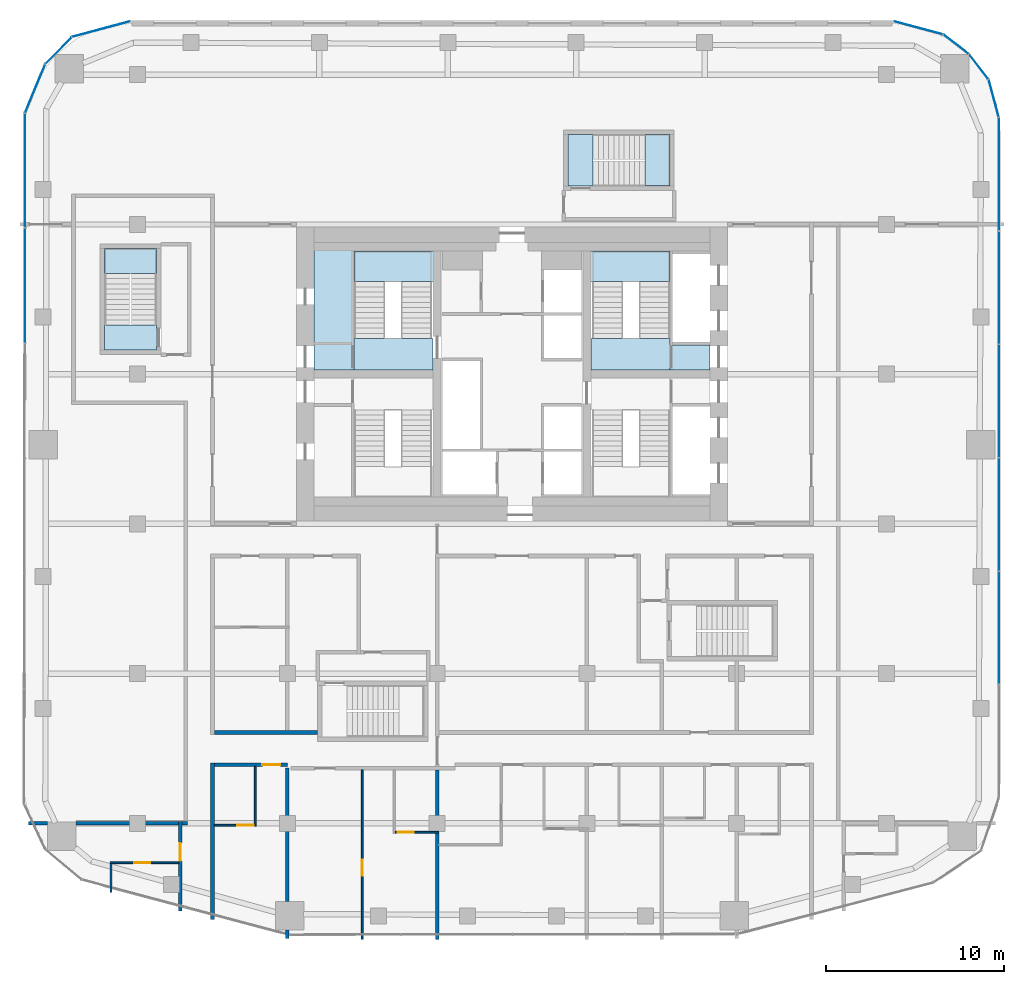
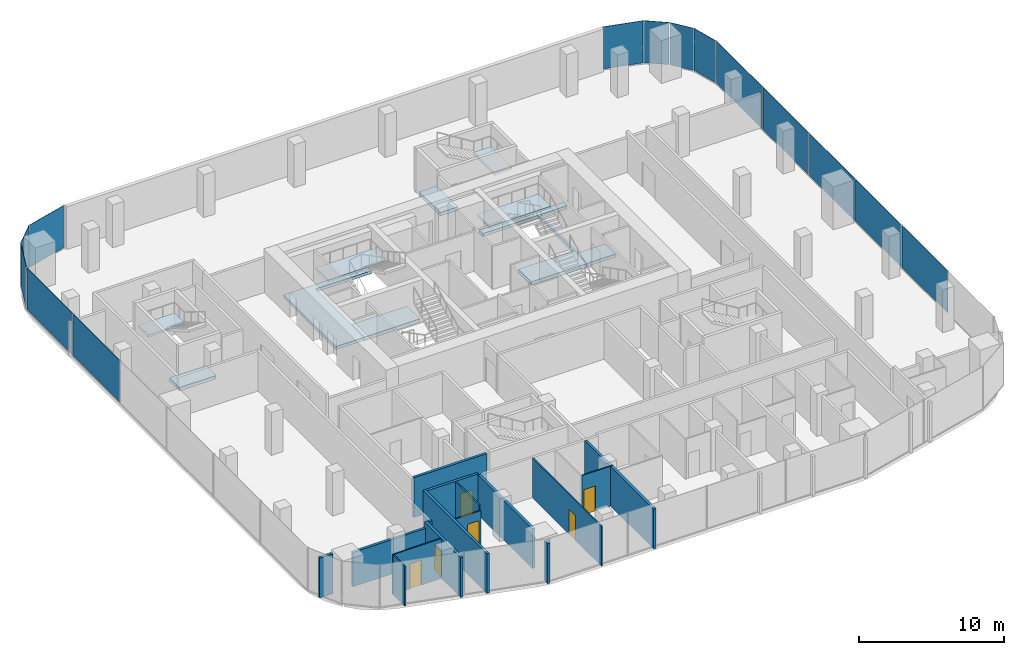
# One storey, part 13 of 21: 16 walls, 14 plates, 10 slabs, 6 doors, 6 openings, 13 elements without a shape of their own.
"""IFC4 building model written with IfcOpenShell, lengths in metres."""

from ifc_helpers import new_model, si_unit, direction, frame, frame_2d, origin, origin_2d, place, context, subcontext, project, spatial, polyline, rectangle, outline, extrude, material, layer, layer_set, type_object, element, fill, aggregate, save


model = new_model("IFC4")

# Units and contexts
model_context = context("Model", 3, precision=1e-05, world=origin(), true_north=direction((0.0, 1.0)))
body_context = subcontext(model_context, "Body", "Model", "MODEL_VIEW")
ifc_project = project(units=[si_unit("LENGTHUNIT", "METRE"), si_unit("AREAUNIT", "SQUARE_METRE"), si_unit("VOLUMEUNIT", "CUBIC_METRE"), si_unit("PLANEANGLEUNIT", "RADIAN"), si_unit("MASSUNIT", "GRAM", prefix="KILO")], contexts=[model_context])

# Site, building, storey
site_placement = place(None, origin())
site = spatial("IfcSite", under=ifc_project, at=site_placement, CompositionType="ELEMENT")
building_placement = place(site_placement, origin())
building = spatial("IfcBuilding", under=site, at=building_placement, Name="Marenta Gate Hotel Tower", CompositionType="ELEMENT")
storey_placement = place(building_placement, frame((0.0, 0.0, 133.699951171875)))
storey = spatial("IfcBuildingStorey", under=building, at=storey_placement, Name="L30", CompositionType="ELEMENT", Elevation=133.699951171875)

# Slabs
ifc_material_1 = material(Name="Concrete C40", Category="concrete")
ifc_layer_1 = layer(ifc_material_1, 0.260009765625)
ifc_layer_set_1 = layer_set([ifc_layer_1], Name="Concrete C40")
slab_type_1 = type_object("IfcSlabType", Name="Core floor slab 260", PredefinedType="FLOOR", material=ifc_layer_set_1)
slab_1_placement = place(storey_placement, frame((0.0, 0.0, -0.260009765625)))
element("IfcSlab", 1, at=slab_1_placement, inside=storey, type_object=slab_type_1, Name="L30-CF-3", PredefinedType="FLOOR", context=body_context, shape_type="SweptSolid", body=[
    extrude(outline(polyline([(8.85009765625, 15.300048828125), (4.425048828125, 15.300048828125), (4.425048828125, 15.800048828125), (11.10009765625, 15.800048828125), (11.10009765625, 15.300048828125), (9.0, 15.300048828125), (9.0, 15.14990234375), (9.0, 12.75), (9.0, 12.60009765625), (9.0, 10.199951171875), (9.0, 10.050048828125), (11.10009765625, 10.050048828125), (11.10009765625, 8.625), (8.85009765625, 8.625), (8.85009765625, 8.699951171875), (8.85009765625, 10.39990234375), (8.85009765625, 15.300048828125)])), origin(), (0.0, 0.0, 1.0), 0.260009765625),
])
slab_2_placement = place(storey_placement, frame((0.0, 0.0, -0.260009765625)))
element("IfcSlab", 2, at=slab_2_placement, inside=storey, type_object=slab_type_1, Name="L30-CF-6", PredefinedType="FLOOR", context=body_context, shape_type="SweptSolid", body=[
    extrude(outline(polyline([(-4.425048828125, 15.300048828125), (-8.85009765625, 15.300048828125), (-8.85009765625, 10.39990234375), (-8.85009765625, 8.699951171875), (-8.85009765625, 8.625), (-11.10009765625, 8.625), (-11.10009765625, 15.800048828125), (-4.425048828125, 15.800048828125), (-4.425048828125, 15.300048828125)])), origin(), (0.0, 0.0, 1.0), 0.260009765625),
])

# Stair, slab
ifc_material_2 = material(Name="Concrete C40", Category="concrete")
stair_type_1 = type_object("IfcStairType", Name="Core exit stair 1700 wide", PredefinedType="HALF_TURN_STAIR", material=ifc_material_2)
stair_1_placement = place(storey_placement, origin())
stair_1 = element("IfcStair", 3, at=stair_1_placement, inside=storey, type_object=stair_type_1, Name="Exit stair 2", PredefinedType="HALF_TURN_STAIR")
ifc_material_3 = material(Name="Concrete C40", Category="concrete")
ifc_layer_2 = layer(ifc_material_3, 0.199951171875)
ifc_layer_set_2 = layer_set([ifc_layer_2], Name="Concrete C40")
slab_type_2 = type_object("IfcSlabType", Name="Core stair landing 200", PredefinedType="LANDING", material=ifc_layer_set_2)
slab_3_placement = place(storey_placement, frame((0.0, 0.0, 1.60009765625)))
slab_3 = element("IfcSlab", 4, at=slab_3_placement, type_object=slab_type_2, Name="SL-200 ST2 landing 1", PredefinedType="LANDING", context=body_context, shape_type="SweptSolid", body=[
    extrude(outline(polyline([(-8.85009765625, 13.590087890625), (-3.97509765625, 13.590087890625), (-3.97509765625, 15.300048828125), (-8.85009765625, 15.300048828125), (-8.85009765625, 13.590087890625)])), origin(), (0.0, 0.0, 1.0), 0.199951171875),
])
aggregate(stair_1, [slab_3])

stair_2_placement = place(storey_placement, origin())
stair_2 = element("IfcStair", 5, at=stair_2_placement, inside=storey, type_object=stair_type_1, Name="Exit stair 4", PredefinedType="HALF_TURN_STAIR")
slab_4_placement = place(storey_placement, frame((0.0, 0.0, 1.60009765625)))
slab_4 = element("IfcSlab", 6, at=slab_4_placement, type_object=slab_type_2, Name="SL-200 ST4 landing 1", PredefinedType="LANDING", context=body_context, shape_type="SweptSolid", body=[
    extrude(outline(polyline([(3.97509765625, 13.590087890625), (8.85009765625, 13.590087890625), (8.85009765625, 15.300048828125), (3.97509765625, 15.300048828125), (3.97509765625, 13.590087890625)])), origin(), (0.0, 0.0, 1.0), 0.199951171875),
])
aggregate(stair_2, [slab_4])

# Curtain wall, plate
ifc_material_4 = material(Name="Tinted insulated glass in bronze anodised frame", Category="glass")
ifc_layer_3 = layer(ifc_material_4, 0.1201171875)
ifc_layer_set_3 = layer_set([ifc_layer_3], Name="Tinted insulated glass in bronze anodised frame")
curtain_wall_type = type_object("IfcCurtainWallType", Name="Tower unitised curtain wall CW1", PredefinedType="NOTDEFINED", material=ifc_layer_set_3)
curtain_wall_1_placement = place(storey_placement, origin())
curtain_wall_1 = element("IfcCurtainWall", 7, at=curtain_wall_1_placement, inside=storey, type_object=curtain_wall_type, Name="CW1 run G00", PredefinedType="NOTDEFINED")
ifc_material_5 = material(Name="Tinted insulated glass", Category="glass")
ifc_layer_4 = layer(ifc_material_5, 0.028076171875)
ifc_layer_set_4 = layer_set([ifc_layer_4], Name="Tinted insulated glass")
plate_type = type_object("IfcPlateType", Name="Glass panel CW1 28 mm tinted insulated unit", PredefinedType="CURTAIN_PANEL", material=ifc_layer_set_4)
plate_1_placement = place(storey_placement, frame((-23.04052734375, 27.759765625, 0.06005859375), z_axis=(0.0, 0.0, 1.0), x_axis=(-0.96593059835, -0.258801234873, 0.0)))
plate_1 = element("IfcPlate", 8, at=plate_1_placement, type_object=plate_type, Name="CW1 panel 1.1", PredefinedType="CURTAIN_PANEL", context=body_context, shape_type="SweptSolid", body=[
    extrude(rectangle(XDim=3.366943359375, YDim=0.028076171875, at=origin_2d()), origin(), (0.0, 0.0, 1.0), 3.5400390625),
])
aggregate(curtain_wall_1, [plate_1])

curtain_wall_2_placement = place(storey_placement, origin())
curtain_wall_2 = element("IfcCurtainWall", 9, at=curtain_wall_2_placement, inside=storey, type_object=curtain_wall_type, Name="CW1 run G01", PredefinedType="NOTDEFINED")
plate_2_placement = place(storey_placement, frame((-25.440673828125, 26.550048828125, 0.06005859375), z_axis=(0.0, 0.0, 1.0), x_axis=(-0.707106781187, -0.707106781187, 0.0)))
plate_2 = element("IfcPlate", 10, at=plate_2_placement, type_object=plate_type, Name="CW1 panel 1.1", PredefinedType="CURTAIN_PANEL", context=body_context, shape_type="SweptSolid", body=[
    extrude(rectangle(XDim=2.069091796875, YDim=0.028076171875, at=origin_2d()), origin(), (0.0, 0.0, 1.0), 3.5400390625),
])
aggregate(curtain_wall_2, [plate_2])

curtain_wall_3_placement = place(storey_placement, origin())
curtain_wall_3 = element("IfcCurtainWall", 11, at=curtain_wall_3_placement, inside=storey, type_object=curtain_wall_type, Name="CW1 run G02", PredefinedType="NOTDEFINED")
plate_3_placement = place(storey_placement, frame((-26.75390625, 24.41455078125, 0.06005859375), z_axis=(0.0, 0.0, 1.0), x_axis=(-0.382671975111, -0.923884278178, 0.0)))
plate_3 = element("IfcPlate", 12, at=plate_3_placement, type_object=plate_type, Name="CW1 panel 1.1", PredefinedType="CURTAIN_PANEL", context=body_context, shape_type="SweptSolid", body=[
    extrude(rectangle(XDim=2.919189453125, YDim=0.028076171875, at=origin_2d()), origin(), (0.0, 0.0, 1.0), 3.5400390625),
])
aggregate(curtain_wall_3, [plate_3])

# Curtain wall, plates
curtain_wall_4_placement = place(storey_placement, origin())
curtain_wall_4 = element("IfcCurtainWall", 13, at=curtain_wall_4_placement, inside=storey, type_object=curtain_wall_type, Name="CW1 run G03", PredefinedType="NOTDEFINED")
plate_4_placement = place(storey_placement, frame((-27.3173828125, 19.8212890625, 0.06005859375), z_axis=(0.0, 0.0, 1.0), x_axis=(-0.001566045546, -0.99999877375, 0.0)))
plate_4 = element("IfcPlate", 14, at=plate_4_placement, type_object=plate_type, Name="CW1 panel 1.1", PredefinedType="CURTAIN_PANEL", context=body_context, shape_type="SweptSolid", body=[
    extrude(rectangle(XDim=6.3701171875, YDim=0.028076171875, at=origin_2d()), origin(), (0.0, 0.0, 1.0), 3.5400390625),
])
plate_5_placement = place(storey_placement, frame((-27.327392578125, 13.376220703125, 0.06005859375), z_axis=(0.0, 0.0, 1.0), x_axis=(-0.001566045546, -0.99999877375, 0.0)))
plate_5 = element("IfcPlate", 15, at=plate_5_placement, type_object=plate_type, Name="CW1 panel 2.1", PredefinedType="CURTAIN_PANEL", context=body_context, shape_type="SweptSolid", body=[
    extrude(rectangle(XDim=6.39990234375, YDim=0.028076171875, at=origin_2d()), origin(), (0.0, 0.0, 1.0), 3.5400390625),
])
aggregate(curtain_wall_4, [plate_4, plate_5])

curtain_wall_5_placement = place(storey_placement, origin())
curtain_wall_5 = element("IfcCurtainWall", 16, at=curtain_wall_5_placement, inside=storey, type_object=curtain_wall_type, Name="CW1 run G11", PredefinedType="NOTDEFINED")
plate_6_placement = place(storey_placement, frame((27.31396484375, -5.828125, 0.06005859375), z_axis=(0.0, 0.0, 1.0), x_axis=(0.0, 1.0, 0.0)))
plate_6 = element("IfcPlate", 17, at=plate_6_placement, type_object=plate_type, Name="CW1 panel 2.1", PredefinedType="CURTAIN_PANEL", context=body_context, shape_type="SweptSolid", body=[
    extrude(rectangle(XDim=6.300048828125, YDim=0.028076171875, at=origin_2d()), origin(), (0.0, 0.0, 1.0), 3.5400390625),
])
plate_7_placement = place(storey_placement, frame((27.31396484375, 0.531982421875, 0.06005859375), z_axis=(0.0, 0.0, 1.0), x_axis=(0.0, 1.0, 0.0)))
plate_7 = element("IfcPlate", 18, at=plate_7_placement, type_object=plate_type, Name="CW1 panel 3.1", PredefinedType="CURTAIN_PANEL", context=body_context, shape_type="SweptSolid", body=[
    extrude(rectangle(XDim=6.300048828125, YDim=0.028076171875, at=origin_2d()), origin(), (0.0, 0.0, 1.0), 3.5400390625),
])
plate_8_placement = place(storey_placement, frame((27.31396484375, 6.891845703125, 0.06005859375), z_axis=(0.0, 0.0, 1.0), x_axis=(0.0, 1.0, 0.0)))
plate_8 = element("IfcPlate", 19, at=plate_8_placement, type_object=plate_type, Name="CW1 panel 4.1", PredefinedType="CURTAIN_PANEL", context=body_context, shape_type="SweptSolid", body=[
    extrude(rectangle(XDim=6.300048828125, YDim=0.028076171875, at=origin_2d()), origin(), (0.0, 0.0, 1.0), 3.5400390625),
])
plate_9_placement = place(storey_placement, frame((27.31396484375, 13.251953125, 0.06005859375), z_axis=(0.0, 0.0, 1.0), x_axis=(0.0, 1.0, 0.0)))
plate_9 = element("IfcPlate", 20, at=plate_9_placement, type_object=plate_type, Name="CW1 panel 5.1", PredefinedType="CURTAIN_PANEL", context=body_context, shape_type="SweptSolid", body=[
    extrude(rectangle(XDim=6.300048828125, YDim=0.028076171875, at=origin_2d()), origin(), (0.0, 0.0, 1.0), 3.5400390625),
])
plate_10_placement = place(storey_placement, frame((27.31396484375, 19.626953125, 0.06005859375), z_axis=(0.0, 0.0, 1.0), x_axis=(0.0, 1.0, 0.0)))
plate_10 = element("IfcPlate", 21, at=plate_10_placement, type_object=plate_type, Name="CW1 panel 6.1", PredefinedType="CURTAIN_PANEL", context=body_context, shape_type="SweptSolid", body=[
    extrude(rectangle(XDim=6.330078125, YDim=0.028076171875, at=origin_2d()), origin(), (0.0, 0.0, 1.0), 3.5400390625),
])
aggregate(curtain_wall_5, [plate_6, plate_7, plate_8, plate_9, plate_10])

# Curtain wall, plate
curtain_wall_6_placement = place(storey_placement, origin())
curtain_wall_6 = element("IfcCurtainWall", 22, at=curtain_wall_6_placement, inside=storey, type_object=curtain_wall_type, Name="CW1 run G12", PredefinedType="NOTDEFINED")
plate_11_placement = place(storey_placement, frame((27.022216796875, 23.880615234375, 0.06005859375), z_axis=(0.0, 0.0, 1.0), x_axis=(-0.258822651658, 0.965924859908, 0.0)))
plate_11 = element("IfcPlate", 23, at=plate_11_placement, type_object=plate_type, Name="CW1 panel 1.1", PredefinedType="CURTAIN_PANEL", context=body_context, shape_type="SweptSolid", body=[
    extrude(rectangle(XDim=2.13427734375, YDim=0.028076171875, at=origin_2d()), origin(), (0.0, 0.0, 1.0), 3.5400390625),
])
aggregate(curtain_wall_6, [plate_11])

curtain_wall_7_placement = place(storey_placement, origin())
curtain_wall_7 = element("IfcCurtainWall", 24, at=curtain_wall_7_placement, inside=storey, type_object=curtain_wall_type, Name="CW1 run G13", PredefinedType="NOTDEFINED")
plate_12_placement = place(storey_placement, frame((26.177490234375, 25.652099609375, 0.06005859375), z_axis=(0.0, 0.0, 1.0), x_axis=(-0.608796116694, 0.793326722289, 0.0)))
plate_12 = element("IfcPlate", 25, at=plate_12_placement, type_object=plate_type, Name="CW1 panel 1.1", PredefinedType="CURTAIN_PANEL", context=body_context, shape_type="SweptSolid", body=[
    extrude(rectangle(XDim=1.747802734375, YDim=0.028076171875, at=origin_2d()), origin(), (0.0, 0.0, 1.0), 3.5400390625),
])
aggregate(curtain_wall_7, [plate_12])

curtain_wall_8_placement = place(storey_placement, origin())
curtain_wall_8 = element("IfcCurtainWall", 26, at=curtain_wall_8_placement, inside=storey, type_object=curtain_wall_type, Name="CW1 run G14", PredefinedType="NOTDEFINED")
plate_13_placement = place(storey_placement, frame((24.904541015625, 26.9140625, 0.06005859375), z_axis=(0.0, 0.0, 1.0), x_axis=(-0.793326722289, 0.608796116694, 0.0)))
plate_13 = element("IfcPlate", 27, at=plate_13_placement, type_object=plate_type, Name="CW1 panel 1.1", PredefinedType="CURTAIN_PANEL", context=body_context, shape_type="SweptSolid", body=[
    extrude(rectangle(XDim=1.747802734375, YDim=0.028076171875, at=origin_2d()), origin(), (0.0, 0.0, 1.0), 3.5400390625),
])
aggregate(curtain_wall_8, [plate_13])

curtain_wall_9_placement = place(storey_placement, origin())
curtain_wall_9 = element("IfcCurtainWall", 28, at=curtain_wall_9_placement, inside=storey, type_object=curtain_wall_type, Name="CW1 run G15", PredefinedType="NOTDEFINED")
plate_14_placement = place(storey_placement, frame((22.783935546875, 27.82861328125, 0.06005859375), z_axis=(0.0, 0.0, 1.0), x_axis=(-0.965929324305, 0.258805989975, 0.0)))
plate_14 = element("IfcPlate", 29, at=plate_14_placement, type_object=plate_type, Name="CW1 panel 1.1", PredefinedType="CURTAIN_PANEL", context=body_context, shape_type="SweptSolid", body=[
    extrude(rectangle(XDim=2.83544921875, YDim=0.028076171875, at=origin_2d()), origin(), (0.0, 0.0, 1.0), 3.5400390625),
])
aggregate(curtain_wall_9, [plate_14])

# Stair, slab
ifc_material_6 = material(Name="Concrete C40", Category="concrete")
stair_type_2 = type_object("IfcStairType", Name="Remote exit stair 1400 wide", PredefinedType="HALF_TURN_STAIR", material=ifc_material_6)
stair_3_placement = place(storey_placement, origin())
stair_3 = element("IfcStair", 30, at=stair_3_placement, inside=storey, type_object=stair_type_2, Name="Exit stair RS-Z1-3", PredefinedType="HALF_TURN_STAIR")
ifc_material_7 = material(Name="Concrete C40", Category="concrete")
ifc_layer_5 = layer(ifc_material_7, 0.199951171875)
ifc_layer_set_5 = layer_set([ifc_layer_5], Name="Concrete C40")
slab_type_3 = type_object("IfcSlabType", Name="Remote stair landing 200", PredefinedType="LANDING", material=ifc_layer_set_5)
slab_5_placement = place(storey_placement, frame((0.0, 0.0, 1.60009765625)))
slab_5 = element("IfcSlab", 31, at=slab_5_placement, type_object=slab_type_3, Name="RL-200 RS-Z1-3 landing 1", PredefinedType="LANDING", context=body_context, shape_type="SweptSolid", body=[
    extrude(outline(polyline([(-22.85009765625, 14.050048828125), (-19.949951171875, 14.050048828125), (-19.949951171875, 15.449951171875), (-22.85009765625, 15.449951171875), (-22.85009765625, 14.050048828125)])), origin(), (0.0, 0.0, 1.0), 0.199951171875),
])
aggregate(stair_3, [slab_5])

stair_4_placement = place(storey_placement, origin())
stair_4 = element("IfcStair", 32, at=stair_4_placement, inside=storey, type_object=stair_type_2, Name="Exit stair RS-Z2-4", PredefinedType="HALF_TURN_STAIR")
slab_6_placement = place(storey_placement, frame((0.0, 0.0, 1.60009765625)))
slab_6 = element("IfcSlab", 33, at=slab_6_placement, type_object=slab_type_3, Name="RL-200 RS-Z2-4 landing 1", PredefinedType="LANDING", context=body_context, shape_type="SweptSolid", body=[
    extrude(outline(polyline([(7.449951171875, 18.949951171875), (8.85009765625, 18.949951171875), (8.85009765625, 21.85009765625), (7.449951171875, 21.85009765625), (7.449951171875, 18.949951171875)])), origin(), (0.0, 0.0, 1.0), 0.199951171875),
])
aggregate(stair_4, [slab_6])

# Slabs
ifc_material_8 = material(Name="Concrete C40", Category="concrete")
ifc_layer_6 = layer(ifc_material_8, 0.300048828125)
ifc_layer_set_6 = layer_set([ifc_layer_6], Name="Concrete C40")
slab_type_4 = type_object("IfcSlabType", Name="Stair floor landing slab 300", PredefinedType="FLOOR", material=ifc_layer_set_6)
slab_7_placement = place(storey_placement, frame((0.0, 0.0, -0.300048828125)))
element("IfcSlab", 34, at=slab_7_placement, inside=storey, type_object=slab_type_4, Name="L30-CL-ST2-1", PredefinedType="FLOOR", context=body_context, shape_type="SweptSolid", body=[
    extrude(outline(polyline([(-4.425048828125, 8.625), (-8.85009765625, 8.625), (-8.85009765625, 8.699951171875), (-8.85009765625, 10.39990234375), (-4.425048828125, 10.39990234375), (-4.425048828125, 8.625)])), origin(), (0.0, 0.0, 1.0), 0.300048828125),
])
slab_8_placement = place(storey_placement, frame((0.0, 0.0, -0.300048828125)))
element("IfcSlab", 35, at=slab_8_placement, inside=storey, type_object=slab_type_4, Name="L30-CL-ST4-1", PredefinedType="FLOOR", context=body_context, shape_type="SweptSolid", body=[
    extrude(outline(polyline([(4.425048828125, 8.625), (4.425048828125, 10.39990234375), (8.85009765625, 10.39990234375), (8.85009765625, 8.699951171875), (8.85009765625, 8.625), (4.425048828125, 8.625)])), origin(), (0.0, 0.0, 1.0), 0.300048828125),
])
slab_9_placement = place(storey_placement, frame((0.0, 0.0, -0.300048828125)))
element("IfcSlab", 36, at=slab_9_placement, inside=storey, type_object=slab_type_4, Name="L30-RS-Z1-3-CL", PredefinedType="FLOOR", context=body_context, shape_type="SweptSolid", body=[
    extrude(outline(polyline([(-19.949951171875, 9.75), (-19.949951171875, 11.14990234375), (-22.85009765625, 11.14990234375), (-22.85009765625, 9.75), (-19.949951171875, 9.75)])), origin(), (0.0, 0.0, 1.0), 0.300048828125),
])
slab_10_placement = place(storey_placement, frame((0.0, 0.0, -0.300048828125)))
element("IfcSlab", 37, at=slab_10_placement, inside=storey, type_object=slab_type_4, Name="L30-RS-Z2-4-CL", PredefinedType="FLOOR", context=body_context, shape_type="SweptSolid", body=[
    extrude(outline(polyline([(4.550048828125, 18.949951171875), (4.550048828125, 21.85009765625), (3.14990234375, 21.85009765625), (3.14990234375, 18.949951171875), (4.550048828125, 18.949951171875)])), origin(), (0.0, 0.0, 1.0), 0.300048828125),
])

# Walls
ifc_material_9 = material(Name="Concrete blockwork", Category="masonry")
ifc_layer_7 = layer(ifc_material_9, 0.199951171875)
ifc_layer_set_7 = layer_set([ifc_layer_7], Name="Concrete blockwork")
wall_type_1 = type_object("IfcWallType", Name="Compartment wall 200 REI 180", PredefinedType="PARTITIONING", material=ifc_layer_set_7)
wall_1_placement = place(storey_placement, frame((-4.199951171875, -23.300048828125, 0.0), z_axis=(0.0, 0.0, 1.0), x_axis=(0.0, 1.0, 0.0)))
element("IfcWall", 38, at=wall_1_placement, inside=storey, type_object=wall_type_1, Name="L30-PTN-W048", PredefinedType="PARTITIONING", context=body_context, shape_type="SweptSolid", body=[
    extrude(rectangle(XDim=9.5, YDim=0.199951171875, at=frame_2d((4.75, 0.0))), origin(), (0.0, 0.0, 1.0), 3.340087890625),
])
ifc_material_10 = material(Name="Concrete blockwork", Category="masonry")
ifc_layer_8 = layer(ifc_material_10, 0.199951171875)
ifc_layer_set_8 = layer_set([ifc_layer_8], Name="Concrete blockwork")
wall_type_2 = type_object("IfcWallType", Name="Room corridor wall 200 EI 120", PredefinedType="PARTITIONING", material=ifc_layer_set_8)
wall_2_placement = place(storey_placement, frame((-16.699951171875, -11.699951171875, 0.0), z_axis=(0.0, 0.0, 1.0), x_axis=(1.0, 0.0, 0.0)))
element("IfcWall", 39, at=wall_2_placement, inside=storey, type_object=wall_type_2, Name="L30-PTN-W025", PredefinedType="PARTITIONING", context=body_context, shape_type="SweptSolid", body=[
    extrude(rectangle(XDim=5.800048828125, YDim=0.199951171875, at=frame_2d((2.89990234375, 0.0))), origin(), (0.0, 0.0, 1.0), 3.340087890625),
])

# Wall, opening, door
ifc_material_11 = material(Name="Gypsum board on steel stud", Category="steel")
ifc_layer_9 = layer(ifc_material_11, 0.199951171875)
ifc_layer_set_9 = layer_set([ifc_layer_9], Name="Gypsum board on steel stud")
wall_type_3 = type_object("IfcWallType", Name="Room corridor wall 200 EI 60", PredefinedType="PARTITIONING", material=ifc_layer_set_9)
wall_3_placement = place(storey_placement, frame((-16.699951171875, -13.5, 0.0), z_axis=(0.0, 0.0, 1.0), x_axis=(1.0, 0.0, 0.0)))
wall_3 = element("IfcWall", 40, at=wall_3_placement, inside=storey, type_object=wall_type_3, Name="L30-PTN-W020", PredefinedType="PARTITIONING", context=body_context, shape_type="SweptSolid", body=[
    extrude(rectangle(XDim=4.099853515625, YDim=0.199951171875, at=frame_2d((2.0498046875, 0.0))), origin(), (0.0, 0.0, 1.0), 3.340087890625),
])
opening_1_placement = place(wall_3_placement, frame((2.699951171875, 0.0, 0.0)))
opening_1 = element("IfcOpeningElement", 41, at=opening_1_placement, cuts=wall_3, Name="Opening G11-09", PredefinedType="OPENING", context=body_context, shape_type="SweptSolid", body=[
    extrude(rectangle(XDim=1.0, YDim=2.10009765625, at=frame_2d((0.5, 1.050048828125))), frame((0.0, 0.10009765625, 0.0), z_axis=(0.0, -1.0, 0.0), x_axis=(1.0, 0.0, 0.0)), (0.0, 0.0, 1.0), 0.199951171875),
])
ifc_material_12 = material(Name="Timber door leaf", Category="wood")
door_type_1 = type_object("IfcDoorType", Name="Guest room door 1000x2100 EI 30", OperationType="NOTDEFINED", PredefinedType="DOOR", material=ifc_material_12)
door_1_placement = place(opening_1_placement, origin())
door_1 = element("IfcDoor", 42, at=door_1_placement, inside=storey, type_object=door_type_1, Name="L30-PD-D009", OperationType="SINGLE_SWING_LEFT", OverallHeight=2.10009765625, OverallWidth=1.0, PredefinedType="DOOR", context=body_context, shape_type="SweptSolid", body=[
    extrude(rectangle(XDim=1.0, YDim=2.10009765625, at=frame_2d((0.5, 1.050048828125))), frame((0.0, 0.02490234375, 0.0), z_axis=(0.0, -1.0, 0.0), x_axis=(1.0, 0.0, 0.0)), (0.0, 0.0, 1.0), 0.050048828125),
])
fill(opening_1, door_1)

# Wall
wall_4_placement = place(storey_placement, frame((-16.800048828125, -22.18603515625, 0.0), z_axis=(0.0, 0.0, 1.0), x_axis=(0.0, 1.0, 0.0)))
element("IfcWall", 43, at=wall_4_placement, inside=storey, type_object=wall_type_3, Name="L30-PTN-W061", PredefinedType="PARTITIONING", context=body_context, shape_type="SweptSolid", body=[
    extrude(rectangle(XDim=8.7861328125, YDim=0.199951171875, at=frame_2d((4.39306640625, 0.0))), origin(), (0.0, 0.0, 1.0), 3.340087890625),
])

# Wall, opening, door
wall_5_placement = place(storey_placement, frame((-18.60009765625, -21.7080078125, 0.0), z_axis=(0.0, 0.0, 1.0), x_axis=(0.0, 1.0, 0.0)))
wall_5 = element("IfcWall", 44, at=wall_5_placement, inside=storey, type_object=wall_type_3, Name="L30-PTN-W071", PredefinedType="PARTITIONING", context=body_context, shape_type="SweptSolid", body=[
    extrude(rectangle(XDim=5.008056640625, YDim=0.199951171875, at=frame_2d((2.50390625, 0.0))), origin(), (0.0, 0.0, 1.0), 3.340087890625),
])
opening_2_placement = place(wall_5_placement, frame((2.800048828125, 0.0, 0.0)))
opening_2 = element("IfcOpeningElement", 45, at=opening_2_placement, cuts=wall_5, Name="Opening G11-23", PredefinedType="OPENING", context=body_context, shape_type="SweptSolid", body=[
    extrude(rectangle(XDim=1.0, YDim=2.10009765625, at=frame_2d((0.5, 1.050048828125))), frame((0.0, 0.10009765625, 0.0), z_axis=(0.0, -1.0, 0.0), x_axis=(1.0, 0.0, 0.0)), (0.0, 0.0, 1.0), 0.199951171875),
])
door_2_placement = place(opening_2_placement, origin())
door_2 = element("IfcDoor", 46, at=door_2_placement, inside=storey, type_object=door_type_1, Name="L30-PD-D023", OperationType="SINGLE_SWING_LEFT", OverallHeight=2.10009765625, OverallWidth=1.0, PredefinedType="DOOR", context=body_context, shape_type="SweptSolid", body=[
    extrude(rectangle(XDim=1.0, YDim=2.10009765625, at=frame_2d((0.5, 1.050048828125))), frame((0.0, 0.02490234375, 0.0), z_axis=(0.0, -1.0, 0.0), x_axis=(1.0, 0.0, 0.0)), (0.0, 0.0, 1.0), 0.050048828125),
])
fill(opening_2, door_2)

# Wall
ifc_material_13 = material(Name="Concrete blockwork", Category="masonry")
ifc_layer_10 = layer(ifc_material_13, 0.199951171875)
ifc_layer_set_10 = layer_set([ifc_layer_10], Name="Concrete blockwork")
wall_type_4 = type_object("IfcWallType", Name="Room corridor wall 200 REI 180", PredefinedType="PARTITIONING", material=ifc_layer_set_10)
wall_6_placement = place(storey_placement, frame((-18.5, -16.800048828125, 0.0), z_axis=(0.0, 0.0, 1.0), x_axis=(1.0, 0.0, 0.0)))
element("IfcWall", 47, at=wall_6_placement, inside=storey, type_object=wall_type_4, Name="L30-PTN-W016", PredefinedType="PARTITIONING", context=body_context, shape_type="SweptSolid", body=[
    extrude(rectangle(XDim=0.300048828125, YDim=0.199951171875, at=frame_2d((0.14990234375, 0.0))), origin(), (0.0, 0.0, 1.0), 3.340087890625),
])

# Wall, opening, door
ifc_material_14 = material(Name="Gypsum board on steel stud", Category="steel")
ifc_layer_11 = layer(ifc_material_14, 0.10009765625)
ifc_layer_set_11 = layer_set([ifc_layer_11], Name="Gypsum board on steel stud")
wall_type_5 = type_object("IfcWallType", Name="Room partition 100", PredefinedType="PARTITIONING", material=ifc_layer_set_11)
wall_7_placement = place(storey_placement, frame((-22.550048828125, -19.008056640625, 0.0), z_axis=(0.0, 0.0, 1.0), x_axis=(1.0, 0.0, 0.0)))
wall_7 = element("IfcWall", 48, at=wall_7_placement, inside=storey, type_object=wall_type_5, Name="L30-PTN-W002", PredefinedType="PARTITIONING", context=body_context, shape_type="SweptSolid", body=[
    extrude(rectangle(XDim=3.85009765625, YDim=0.10009765625, at=frame_2d((1.925048828125, 0.0))), origin(), (0.0, 0.0, 1.0), 3.340087890625),
])
opening_3_placement = place(wall_7_placement, frame((1.35498046875, 0.0, 0.0)))
opening_3 = element("IfcOpeningElement", 49, at=opening_3_placement, cuts=wall_7, Name="Opening G11-24", PredefinedType="OPENING", context=body_context, shape_type="SweptSolid", body=[
    extrude(rectangle(XDim=0.89990234375, YDim=2.10009765625, at=frame_2d((0.449951171875, 1.050048828125))), frame((0.0, 0.050048828125, 0.0), z_axis=(0.0, -1.0, 0.0), x_axis=(1.0, 0.0, 0.0)), (0.0, 0.0, 1.0), 0.10009765625),
])
ifc_material_15 = material(Name="Timber door leaf", Category="wood")
door_type_2 = type_object("IfcDoorType", Name="Guest bathroom door 900x2100", OperationType="NOTDEFINED", PredefinedType="DOOR", material=ifc_material_15)
door_3_placement = place(opening_3_placement, origin())
door_3 = element("IfcDoor", 50, at=door_3_placement, inside=storey, type_object=door_type_2, Name="L30-PD-D024", OperationType="SINGLE_SWING_LEFT", OverallHeight=2.10009765625, OverallWidth=0.89990234375, PredefinedType="DOOR", context=body_context, shape_type="SweptSolid", body=[
    extrude(rectangle(XDim=0.89990234375, YDim=2.10009765625, at=frame_2d((0.449951171875, 1.050048828125))), frame((0.0, 0.02490234375, 0.0), z_axis=(0.0, -1.0, 0.0), x_axis=(1.0, 0.0, 0.0)), (0.0, 0.0, 1.0), 0.050048828125),
])
fill(opening_3, door_3)

wall_8_placement = place(storey_placement, frame((-6.550048828125, -17.300048828125, 0.0), z_axis=(0.0, 0.0, 1.0), x_axis=(1.0, 0.0, 0.0)))
wall_8 = element("IfcWall", 51, at=wall_8_placement, inside=storey, type_object=wall_type_5, Name="L30-PTN-W008", PredefinedType="PARTITIONING", context=body_context, shape_type="SweptSolid", body=[
    extrude(rectangle(XDim=2.449951171875, YDim=0.10009765625, at=frame_2d((1.22509765625, 0.0))), origin(), (0.0, 0.0, 1.0), 3.340087890625),
])
opening_4_placement = place(wall_8_placement, frame((0.14990234375, 0.0, 0.0)))
opening_4 = element("IfcOpeningElement", 52, at=opening_4_placement, cuts=wall_8, Name="Opening G11-13", PredefinedType="OPENING", context=body_context, shape_type="SweptSolid", body=[
    extrude(rectangle(XDim=0.89990234375, YDim=2.10009765625, at=frame_2d((0.449951171875, 1.050048828125))), frame((0.0, 0.050048828125, 0.0), z_axis=(0.0, -1.0, 0.0), x_axis=(1.0, 0.0, 0.0)), (0.0, 0.0, 1.0), 0.10009765625),
])
door_4_placement = place(opening_4_placement, origin())
door_4 = element("IfcDoor", 53, at=door_4_placement, inside=storey, type_object=door_type_2, Name="L30-PD-D013", OperationType="SINGLE_SWING_LEFT", OverallHeight=2.10009765625, OverallWidth=0.89990234375, PredefinedType="DOOR", context=body_context, shape_type="SweptSolid", body=[
    extrude(rectangle(XDim=0.89990234375, YDim=2.10009765625, at=frame_2d((0.449951171875, 1.050048828125))), frame((0.0, 0.02490234375, 0.0), z_axis=(0.0, -1.0, 0.0), x_axis=(1.0, 0.0, 0.0)), (0.0, 0.0, 1.0), 0.050048828125),
])
fill(opening_4, door_4)

wall_9_placement = place(storey_placement, frame((-16.699951171875, -16.89990234375, 0.0), z_axis=(0.0, 0.0, 1.0), x_axis=(1.0, 0.0, 0.0)))
wall_9 = element("IfcWall", 54, at=wall_9_placement, inside=storey, type_object=wall_type_5, Name="L30-PTN-W010", PredefinedType="PARTITIONING", context=body_context, shape_type="SweptSolid", body=[
    extrude(rectangle(XDim=2.349853515625, YDim=0.10009765625, at=frame_2d((1.1748046875, 0.0))), origin(), (0.0, 0.0, 1.0), 2.89013671875),
])
opening_5_placement = place(wall_9_placement, frame((1.300048828125, 0.0, 0.0)))
opening_5 = element("IfcOpeningElement", 55, at=opening_5_placement, cuts=wall_9, Name="Opening G11-10", PredefinedType="OPENING", context=body_context, shape_type="SweptSolid", body=[
    extrude(rectangle(XDim=0.89990234375, YDim=2.10009765625, at=frame_2d((0.449951171875, 1.050048828125))), frame((0.0, 0.050048828125, 0.0), z_axis=(0.0, -1.0, 0.0), x_axis=(1.0, 0.0, 0.0)), (0.0, 0.0, 1.0), 0.10009765625),
])
door_5_placement = place(opening_5_placement, origin())
door_5 = element("IfcDoor", 56, at=door_5_placement, inside=storey, type_object=door_type_2, Name="L30-PD-D010", OperationType="SINGLE_SWING_RIGHT", OverallHeight=2.10009765625, OverallWidth=0.89990234375, PredefinedType="DOOR", context=body_context, shape_type="SweptSolid", body=[
    extrude(rectangle(XDim=0.89990234375, YDim=2.10009765625, at=frame_2d((0.449951171875, 1.050048828125))), frame((0.0, 0.02490234375, 0.0), z_axis=(0.0, -1.0, 0.0), x_axis=(1.0, 0.0, 0.0)), (0.0, 0.0, 1.0), 0.050048828125),
])
fill(opening_5, door_5)

wall_10_placement = place(storey_placement, frame((-8.39990234375, -23.300048828125, 0.0), z_axis=(0.0, 0.0, 1.0), x_axis=(0.0, 1.0, 0.0)))
wall_10 = element("IfcWall", 57, at=wall_10_placement, inside=storey, type_object=wall_type_5, Name="L30-PTN-W053", PredefinedType="PARTITIONING", context=body_context, shape_type="SweptSolid", body=[
    extrude(rectangle(XDim=9.5, YDim=0.10009765625, at=frame_2d((4.75, 0.0))), origin(), (0.0, 0.0, 1.0), 3.340087890625),
])
opening_6_placement = place(wall_10_placement, frame((3.570068359375, 0.0, 0.0)))
opening_6 = element("IfcOpeningElement", 58, at=opening_6_placement, cuts=wall_10, Name="Opening G11-12", PredefinedType="OPENING", context=body_context, shape_type="SweptSolid", body=[
    extrude(rectangle(XDim=0.89990234375, YDim=2.10009765625, at=frame_2d((0.449951171875, 1.050048828125))), frame((0.0, 0.050048828125, 0.0), z_axis=(0.0, -1.0, 0.0), x_axis=(1.0, 0.0, 0.0)), (0.0, 0.0, 1.0), 0.10009765625),
])
ifc_material_16 = material(Name="Timber door leaf", Category="wood")
door_type_3 = type_object("IfcDoorType", Name="Room inner door 900x2100", OperationType="NOTDEFINED", PredefinedType="DOOR", material=ifc_material_16)
door_6_placement = place(opening_6_placement, origin())
door_6 = element("IfcDoor", 59, at=door_6_placement, inside=storey, type_object=door_type_3, Name="L30-PD-D012", OperationType="SINGLE_SWING_RIGHT", OverallHeight=2.10009765625, OverallWidth=0.89990234375, PredefinedType="DOOR", context=body_context, shape_type="SweptSolid", body=[
    extrude(rectangle(XDim=0.89990234375, YDim=2.10009765625, at=frame_2d((0.449951171875, 1.050048828125))), frame((0.0, 0.02490234375, 0.0), z_axis=(0.0, -1.0, 0.0), x_axis=(1.0, 0.0, 0.0)), (0.0, 0.0, 1.0), 0.050048828125),
])
fill(opening_6, door_6)

# Walls
wall_11_placement = place(storey_placement, frame((-14.39990234375, -16.85009765625, 0.0), z_axis=(0.0, 0.0, 1.0), x_axis=(0.0, 1.0, 0.0)))
element("IfcWall", 60, at=wall_11_placement, inside=storey, type_object=wall_type_5, Name="L30-PTN-W059", PredefinedType="PARTITIONING", context=body_context, shape_type="SweptSolid", body=[
    extrude(rectangle(XDim=3.25, YDim=0.10009765625, at=frame_2d((1.625, 0.0))), origin(), (0.0, 0.0, 1.0), 3.340087890625),
])
wall_12_placement = place(storey_placement, frame((-22.5, -20.674072265625, 0.0), z_axis=(0.0, 0.0, 1.0), x_axis=(0.0, 1.0, 0.0)))
element("IfcWall", 61, at=wall_12_placement, inside=storey, type_object=wall_type_5, Name="L30-PTN-W072", PredefinedType="PARTITIONING", context=body_context, shape_type="SweptSolid", body=[
    extrude(rectangle(XDim=1.615966796875, YDim=0.10009765625, at=frame_2d((0.80810546875, 0.0))), origin(), (0.0, 0.0, 1.0), 3.340087890625),
])
ifc_material_17 = material(Name="Gypsum board on steel stud", Category="steel")
ifc_layer_12 = layer(ifc_material_17, 0.199951171875)
ifc_layer_set_12 = layer_set([ifc_layer_12], Name="Gypsum board on steel stud")
wall_type_6 = type_object("IfcWallType", Name="Room party wall 200 EI 60", PredefinedType="PARTITIONING", material=ifc_layer_set_12)
wall_13_placement = place(storey_placement, frame((-12.60009765625, -23.26611328125, 0.0), z_axis=(0.0, 0.0, 1.0), x_axis=(0.0, 1.0, 0.0)))
element("IfcWall", 62, at=wall_13_placement, inside=storey, type_object=wall_type_6, Name="L30-PTN-W057", PredefinedType="PARTITIONING", context=body_context, shape_type="SweptSolid", body=[
    extrude(rectangle(XDim=0.4912109375, YDim=0.199951171875, at=frame_2d((0.24560546875, 0.0))), origin(), (0.0, 0.0, 1.0), 3.340087890625),
])
wall_14_placement = place(storey_placement, frame((-12.60009765625, -21.175048828125, 0.0), z_axis=(0.0, 0.0, 1.0), x_axis=(0.0, 1.0, 0.0)))
element("IfcWall", 63, at=wall_14_placement, inside=storey, type_object=wall_type_6, Name="L30-PTN-W077", PredefinedType="PARTITIONING", context=body_context, shape_type="SweptSolid", body=[
    extrude(rectangle(XDim=7.47509765625, YDim=0.199951171875, at=frame_2d((3.737548828125, 0.0))), origin(), (0.0, 0.0, 1.0), 3.340087890625),
])
ifc_material_18 = material(Name="Concrete blockwork", Category="masonry")
ifc_layer_13 = layer(ifc_material_18, 0.199951171875)
ifc_layer_set_13 = layer_set([ifc_layer_13], Name="Concrete blockwork")
wall_type_7 = type_object("IfcWallType", Name="Room party wall 200 REI 180", PredefinedType="PARTITIONING", material=ifc_layer_set_13)
wall_15_placement = place(storey_placement, frame((-27.112060546875, -16.800048828125, 0.0), z_axis=(0.0, 0.0, 1.0), x_axis=(1.0, 0.0, 0.0)))
element("IfcWall", 64, at=wall_15_placement, inside=storey, type_object=wall_type_7, Name="L30-PTN-W014", PredefinedType="PARTITIONING", context=body_context, shape_type="SweptSolid", body=[
    extrude(rectangle(XDim=1.049072265625, YDim=0.199951171875, at=frame_2d((0.5244140625, 0.0))), origin(), (0.0, 0.0, 1.0), 3.340087890625),
])
wall_16_placement = place(storey_placement, frame((-24.462890625, -16.800048828125, 0.0), z_axis=(0.0, 0.0, 1.0), x_axis=(1.0, 0.0, 0.0)))
element("IfcWall", 65, at=wall_16_placement, inside=storey, type_object=wall_type_7, Name="L30-PTN-W074", PredefinedType="PARTITIONING", context=body_context, shape_type="SweptSolid", body=[
    extrude(rectangle(XDim=5.762939453125, YDim=0.199951171875, at=frame_2d((2.88134765625, 0.0))), origin(), (0.0, 0.0, 1.0), 2.89013671875),
])

save(model, "model.ifc")
